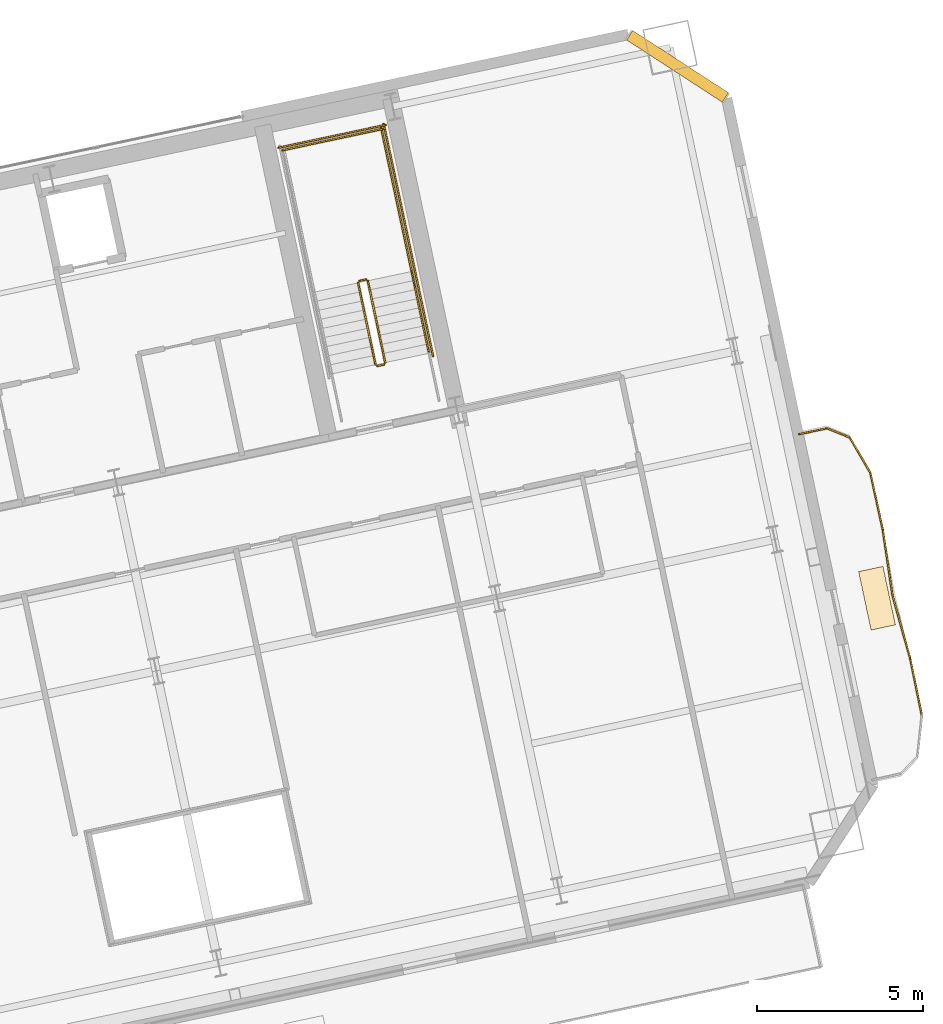
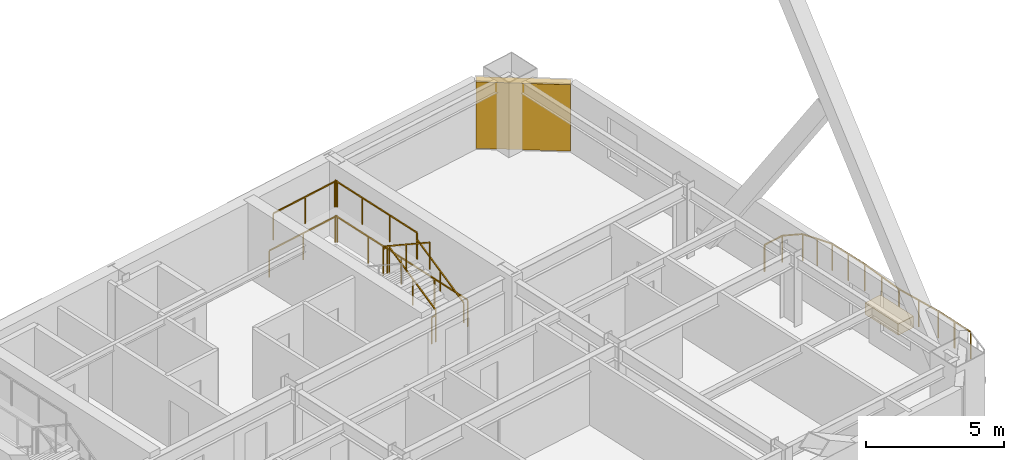
# One storey, part 22 of 22: 16 railings, 1 covering, 1 shading device.
"""IFC4 building model written with IfcOpenShell, lengths in metres."""

from ifc_helpers import new_model, si_unit, direction, frame, origin, origin_2d, place, context, subcontext, project, spatial, rectangle, extrude, material, layer, layer_set, type_object, element, save


model = new_model("IFC4")

# Units and contexts
model_context = context("Model", 3, precision=1e-05, world=origin(), true_north=direction((0.0, 1.0)))
body_context = subcontext(model_context, "Body", "Model", "MODEL_VIEW")
ifc_project = project(units=[si_unit("LENGTHUNIT", "METRE"), si_unit("AREAUNIT", "SQUARE_METRE"), si_unit("VOLUMEUNIT", "CUBIC_METRE"), si_unit("PLANEANGLEUNIT", "RADIAN"), si_unit("MASSUNIT", "GRAM", prefix="KILO")], contexts=[model_context])

# Site, building, storey
site_placement = place(None, origin())
site = spatial("IfcSite", under=ifc_project, at=site_placement, CompositionType="ELEMENT")
building_placement = place(site_placement, origin())
building = spatial("IfcBuilding", under=site, at=building_placement, Name="Haevon Station Towers", CompositionType="ELEMENT")
storey_placement = place(building_placement, frame((0.0, 0.0, 93.300048828125)))
storey = spatial("IfcBuildingStorey", under=building, at=storey_placement, Name="L24", CompositionType="ELEMENT", Elevation=93.300048828125)

# Railings
ifc_material_1 = material(Name="Steel S355", Category="steel")
railing_type_1 = type_object("IfcRailingType", Name="GRD-EXT1200", PredefinedType="GUARDRAIL", material=ifc_material_1)
railing_1_placement = place(storey_placement, frame((133.2978515625, 32.604736328125, 0.0)))
element("IfcRailing", 1, at=railing_1_placement, inside=storey, type_object=railing_type_1, Name="L24 Perimeter Guardrail 4", PredefinedType="GUARDRAIL", context=body_context, shape_type="SweptSolid", body=[
    extrude(rectangle(XDim=0.048095703125, YDim=0.048095703125, at=origin_2d()), frame((0.0, 0.0, 1.17578125), z_axis=(-0.201373345477, 0.979514561266, 0.0), x_axis=(-0.979514561266, -0.201373345477, 0.0)), (0.0, 0.0, 1.0), 1.74951171875),
    extrude(rectangle(XDim=0.0419921875, YDim=0.0419921875, at=origin_2d()), origin(), (0.0, 0.0, 1.0), 1.15185546875),
    extrude(rectangle(XDim=0.0419921875, YDim=0.0419921875, at=origin_2d()), frame((-0.17626953125, 0.85693359375, 0.0)), (0.0, 0.0, 1.0), 1.15185546875),
    extrude(rectangle(XDim=0.0419921875, YDim=0.0419921875, at=origin_2d()), frame((-0.352294921875, 1.713623046875, 0.0)), (0.0, 0.0, 1.0), 1.15185546875),
])
railing_2_placement = place(storey_placement, frame((132.945556640625, 34.318359375, 0.0)))
element("IfcRailing", 2, at=railing_2_placement, inside=storey, type_object=railing_type_1, Name="L24 Perimeter Guardrail 5", PredefinedType="GUARDRAIL", context=body_context, shape_type="SweptSolid", body=[
    extrude(rectangle(XDim=0.048095703125, YDim=0.048095703125, at=origin_2d()), frame((0.0, 0.0, 1.17578125), z_axis=(-0.268894073519, 0.963169755145, 0.0), x_axis=(-0.963169755145, -0.268894073519, 0.0)), (0.0, 0.0, 1.0), 1.993896484375),
    extrude(rectangle(XDim=0.0419921875, YDim=0.0419921875, at=origin_2d()), origin(), (0.0, 0.0, 1.0), 1.15185546875),
    extrude(rectangle(XDim=0.0419921875, YDim=0.0419921875, at=origin_2d()), frame((-0.26806640625, 0.960205078125, 0.0)), (0.0, 0.0, 1.0), 1.15185546875),
    extrude(rectangle(XDim=0.0419921875, YDim=0.0419921875, at=origin_2d()), frame((-0.5361328125, 1.92041015625, 0.0)), (0.0, 0.0, 1.0), 1.15185546875),
])
railing_3_placement = place(storey_placement, frame((132.409423828125, 36.23876953125, 0.0)))
element("IfcRailing", 3, at=railing_3_placement, inside=storey, type_object=railing_type_1, Name="L24 Perimeter Guardrail 6", PredefinedType="GUARDRAIL", context=body_context, shape_type="SweptSolid", body=[
    extrude(rectangle(XDim=0.048095703125, YDim=0.048095703125, at=origin_2d()), frame((0.0, 0.0, 1.17578125), z_axis=(-0.14608267793, 0.98927238474, 0.0), x_axis=(-0.98927238474, -0.14608267793, 0.0)), (0.0, 0.0, 1.0), 1.993896484375),
    extrude(rectangle(XDim=0.0419921875, YDim=0.0419921875, at=origin_2d()), origin(), (0.0, 0.0, 1.0), 1.15185546875),
    extrude(rectangle(XDim=0.0419921875, YDim=0.0419921875, at=origin_2d()), frame((-0.1455078125, 0.986328125, 0.0)), (0.0, 0.0, 1.0), 1.15185546875),
    extrude(rectangle(XDim=0.0419921875, YDim=0.0419921875, at=origin_2d()), frame((-0.291259765625, 1.972412109375, 0.0)), (0.0, 0.0, 1.0), 1.15185546875),
])
railing_4_placement = place(storey_placement, frame((132.1181640625, 38.211181640625, 0.0)))
element("IfcRailing", 4, at=railing_4_placement, inside=storey, type_object=railing_type_1, Name="L24 Perimeter Guardrail 7", PredefinedType="GUARDRAIL", context=body_context, shape_type="SweptSolid", body=[
    extrude(rectangle(XDim=0.048095703125, YDim=0.048095703125, at=origin_2d()), frame((0.0, 0.0, 1.17578125), z_axis=(-0.214491722327, 0.976725806485, 0.0), x_axis=(-0.976725806485, -0.214491722327, 0.0)), (0.0, 0.0, 1.0), 1.74951171875),
    extrude(rectangle(XDim=0.0419921875, YDim=0.0419921875, at=origin_2d()), origin(), (0.0, 0.0, 1.0), 1.15185546875),
    extrude(rectangle(XDim=0.0419921875, YDim=0.0419921875, at=origin_2d()), frame((-0.1875, 0.8544921875, 0.0)), (0.0, 0.0, 1.0), 1.15185546875),
    extrude(rectangle(XDim=0.0419921875, YDim=0.0419921875, at=origin_2d()), frame((-0.375244140625, 1.708740234375, 0.0)), (0.0, 0.0, 1.0), 1.15185546875),
])
railing_5_placement = place(storey_placement, frame((131.742919921875, 39.919921875, 0.0)))
element("IfcRailing", 5, at=railing_5_placement, inside=storey, type_object=railing_type_1, Name="L24 Perimeter Guardrail 8", PredefinedType="GUARDRAIL", context=body_context, shape_type="SweptSolid", body=[
    extrude(rectangle(XDim=0.048095703125, YDim=0.048095703125, at=origin_2d()), frame((0.0, 0.0, 1.17578125), z_axis=(-0.502872029842, 0.864360874637, 0.0), x_axis=(-0.864360874637, -0.502872029842, 0.0)), (0.0, 0.0, 1.0), 1.231201171875),
    extrude(rectangle(XDim=0.0419921875, YDim=0.0419921875, at=origin_2d()), origin(), (0.0, 0.0, 1.0), 1.15185546875),
    extrude(rectangle(XDim=0.0419921875, YDim=0.0419921875, at=origin_2d()), frame((-0.3095703125, 0.5322265625, 0.0)), (0.0, 0.0, 1.0), 1.15185546875),
    extrude(rectangle(XDim=0.0419921875, YDim=0.0419921875, at=origin_2d()), frame((-0.619140625, 1.064208984375, 0.0)), (0.0, 0.0, 1.0), 1.15185546875),
])
railing_6_placement = place(storey_placement, frame((131.123779296875, 40.984130859375, 0.0)))
element("IfcRailing", 6, at=railing_6_placement, inside=storey, type_object=railing_type_1, Name="L24 Perimeter Guardrail 9", PredefinedType="GUARDRAIL", context=body_context, shape_type="SweptSolid", body=[
    extrude(rectangle(XDim=0.048095703125, YDim=0.048095703125, at=origin_2d()), frame((0.0, 0.0, 1.17578125), z_axis=(-0.926466577122, 0.376377046956, 0.0), x_axis=(-0.376377046956, -0.926466577122, 0.0)), (0.0, 0.0, 1.0), 0.733642578125),
    extrude(rectangle(XDim=0.0419921875, YDim=0.0419921875, at=origin_2d()), origin(), (0.0, 0.0, 1.0), 1.15185546875),
    extrude(rectangle(XDim=0.0419921875, YDim=0.0419921875, at=origin_2d()), frame((-0.6796875, 0.276123046875, 0.0)), (0.0, 0.0, 1.0), 1.15185546875),
])
railing_7_placement = place(storey_placement, frame((130.444091796875, 41.26025390625, 0.0)))
element("IfcRailing", 7, at=railing_7_placement, inside=storey, type_object=railing_type_1, Name="L24 Perimeter Guardrail 10", PredefinedType="GUARDRAIL", context=body_context, shape_type="SweptSolid", body=[
    extrude(rectangle(XDim=0.048095703125, YDim=0.048095703125, at=origin_2d()), frame((0.0, 0.0, 1.17578125), z_axis=(-0.978588498747, -0.205826504901, 0.0), x_axis=(0.205826504901, -0.978588498747, 0.0)), (0.0, 0.0, 1.0), 0.869384765625),
    extrude(rectangle(XDim=0.0419921875, YDim=0.0419921875, at=origin_2d()), origin(), (0.0, 0.0, 1.0), 1.15185546875),
    extrude(rectangle(XDim=0.0419921875, YDim=0.0419921875, at=origin_2d()), frame((-0.850830078125, -0.178955078125, 0.0)), (0.0, 0.0, 1.0), 1.15185546875),
])
railing_type_2 = type_object("IfcRailingType", Name="GRD-STR1200", PredefinedType="GUARDRAIL", material=ifc_material_1)
railing_8_placement = place(storey_placement, frame((117.128662109375, 43.23974609375, 0.1650390625)))
element("IfcRailing", 8, at=railing_8_placement, inside=storey, type_object=railing_type_2, Name="L24 ST4 Stair Guard 1", PredefinedType="GUARDRAIL", context=body_context, shape_type="SweptSolid", body=[
    extrude(rectangle(XDim=0.048095703125, YDim=0.048095703125, at=origin_2d()), frame((0.0, 0.0, 1.17578125), z_axis=(-0.179128856099, 0.842723639875, 0.507670877349), x_axis=(-0.978147030254, -0.207914374695, 0.0)), (0.0, 0.0, 1.0), 2.9248046875),
    extrude(rectangle(XDim=0.0419921875, YDim=0.0419921875, at=origin_2d()), origin(), (0.0, 0.0, 1.0), 1.15185546875),
    extrude(rectangle(XDim=0.0419921875, YDim=0.0419921875, at=origin_2d()), frame((-0.261962890625, 1.232421875, 0.742431640625)), (0.0, 0.0, 1.0), 1.15185546875),
    extrude(rectangle(XDim=0.0419921875, YDim=0.0419921875, at=origin_2d()), frame((-0.52392578125, 2.46484375, 1.48486328125)), (0.0, 0.0, 1.0), 1.15185546875),
])
railing_9_placement = place(storey_placement, frame((116.54541015625, 45.7431640625, 1.64990234375)))
element("IfcRailing", 9, at=railing_9_placement, inside=storey, type_object=railing_type_2, Name="L24 ST4 Stair Guard 2", PredefinedType="GUARDRAIL", context=body_context, shape_type="SweptSolid", body=[
    extrude(rectangle(XDim=0.048095703125, YDim=0.048095703125, at=origin_2d()), frame((0.0, 0.0, 1.17578125), z_axis=(-0.97826412705, -0.207362720198, 0.0), x_axis=(0.207362720198, -0.97826412705, 0.0)), (0.0, 0.0, 1.0), 0.2001953125),
    extrude(rectangle(XDim=0.0419921875, YDim=0.0419921875, at=origin_2d()), origin(), (0.0, 0.0, 1.0), 1.15185546875),
    extrude(rectangle(XDim=0.0419921875, YDim=0.0419921875, at=origin_2d()), frame((-0.19580078125, -0.04150390625, 0.0)), (0.0, 0.0, 1.0), 1.15185546875),
])
railing_10_placement = place(storey_placement, frame((117.925048828125, 45.9853515625, 1.64990234375)))
element("IfcRailing", 10, at=railing_10_placement, inside=storey, type_object=railing_type_2, Name="L24 ST4 Stair Guard 3", PredefinedType="GUARDRAIL", context=body_context, shape_type="SweptSolid", body=[
    extrude(rectangle(XDim=0.048095703125, YDim=0.048095703125, at=origin_2d()), frame((0.0, 0.0, 1.17578125), z_axis=(-0.207876551949, 0.978155069071, 0.0), x_axis=(-0.978155069071, -0.207876551949, 0.0)), (0.0, 0.0, 1.0), 4.429931640625),
    extrude(rectangle(XDim=0.0419921875, YDim=0.0419921875, at=origin_2d()), origin(), (0.0, 0.0, 1.0), 1.15185546875),
    extrude(rectangle(XDim=0.0419921875, YDim=0.0419921875, at=origin_2d()), frame((-0.306884765625, 1.4443359375, 0.0)), (0.0, 0.0, 1.0), 1.15185546875),
    extrude(rectangle(XDim=0.0419921875, YDim=0.0419921875, at=origin_2d()), frame((-0.614013671875, 2.888916015625, 0.0)), (0.0, 0.0, 1.0), 1.15185546875),
    extrude(rectangle(XDim=0.0419921875, YDim=0.0419921875, at=origin_2d()), frame((-0.9208984375, 4.333251953125, 0.0)), (0.0, 0.0, 1.0), 1.15185546875),
])
railing_11_placement = place(storey_placement, frame((117.0634765625, 50.280029296875, 1.64990234375)))
element("IfcRailing", 11, at=railing_11_placement, inside=storey, type_object=railing_type_2, Name="L24 ST4 Stair Guard 5", PredefinedType="GUARDRAIL", context=body_context, shape_type="SweptSolid", body=[
    extrude(rectangle(XDim=0.048095703125, YDim=0.048095703125, at=origin_2d()), frame((0.0, 0.0, 1.17578125), z_axis=(-0.978146839882, -0.207915270313, 0.0), x_axis=(0.207915270313, -0.978146839882, 0.0)), (0.0, 0.0, 1.0), 3.099853515625),
    extrude(rectangle(XDim=0.0419921875, YDim=0.0419921875, at=origin_2d()), origin(), (0.0, 0.0, 1.0), 1.15185546875),
    extrude(rectangle(XDim=0.0419921875, YDim=0.0419921875, at=origin_2d()), frame((-1.51611328125, -0.322265625, 0.0)), (0.0, 0.0, 1.0), 1.15185546875),
    extrude(rectangle(XDim=0.0419921875, YDim=0.0419921875, at=origin_2d()), frame((-3.0322265625, -0.64453125, 0.0)), (0.0, 0.0, 1.0), 1.15185546875),
])
railing_12_placement = place(storey_placement, frame((116.311279296875, 45.642333984375, 1.81494140625)))
element("IfcRailing", 12, at=railing_12_placement, inside=storey, type_object=railing_type_2, Name="L24 ST4 Stair Guard 6", PredefinedType="GUARDRAIL", context=body_context, shape_type="SweptSolid", body=[
    extrude(rectangle(XDim=0.048095703125, YDim=0.048095703125, at=origin_2d()), frame((0.0, 0.0, 1.17578125), z_axis=(0.179108667068, -0.842712120868, 0.50769712105), x_axis=(0.978151217824, 0.207894673017, 0.0)), (0.0, 0.0, 1.0), 2.92529296875),
    extrude(rectangle(XDim=0.0419921875, YDim=0.0419921875, at=origin_2d()), origin(), (0.0, 0.0, 1.0), 1.15185546875),
    extrude(rectangle(XDim=0.0419921875, YDim=0.0419921875, at=origin_2d()), frame((0.261962890625, -1.232421875, 0.74267578125)), (0.0, 0.0, 1.0), 1.15185546875),
    extrude(rectangle(XDim=0.0419921875, YDim=0.0419921875, at=origin_2d()), frame((0.52392578125, -2.465087890625, 1.485107421875)), (0.0, 0.0, 1.0), 1.15185546875),
])
railing_13_placement = place(storey_placement, frame((117.090087890625, 43.180419921875, 0.0)))
element("IfcRailing", 13, at=railing_13_placement, inside=storey, type_object=railing_type_2, Name="L24 ST4 Stair Guard 7", PredefinedType="GUARDRAIL", context=body_context, shape_type="SweptSolid", body=[
    extrude(rectangle(XDim=0.048095703125, YDim=0.048095703125, at=origin_2d()), frame((0.0, 0.0, 1.17578125), z_axis=(-0.978211583308, -0.207610448392, 0.0), x_axis=(0.207610448392, -0.978211583308, 0.0)), (0.0, 0.0, 1.0), 0.199951171875),
    extrude(rectangle(XDim=0.0419921875, YDim=0.0419921875, at=origin_2d()), origin(), (0.0, 0.0, 1.0), 1.15185546875),
    extrude(rectangle(XDim=0.0419921875, YDim=0.0419921875, at=origin_2d()), frame((-0.195556640625, -0.04150390625, 0.0)), (0.0, 0.0, 1.0), 1.15185546875),
])
railing_14_placement = place(storey_placement, frame((118.567626953125, 43.443359375, 0.0)))
element("IfcRailing", 14, at=railing_14_placement, inside=storey, type_object=railing_type_2, Name="L24 ST4 Stair Guard 10", PredefinedType="GUARDRAIL", context=body_context, shape_type="SweptSolid", body=[
    extrude(rectangle(XDim=0.048095703125, YDim=0.048095703125, at=origin_2d()), frame((0.0, 0.0, 1.17578125), z_axis=(-0.207908168386, 0.978148349443, 0.0), x_axis=(-0.978148349443, -0.207908168386, 0.0)), (0.0, 0.0, 1.0), 7.150146484375),
    extrude(rectangle(XDim=0.0419921875, YDim=0.0419921875, at=origin_2d()), origin(), (0.0, 0.0, 1.0), 1.15185546875),
    extrude(rectangle(XDim=0.0419921875, YDim=0.0419921875, at=origin_2d()), frame((-0.37158203125, 1.74853515625, 0.0)), (0.0, 0.0, 1.0), 1.15185546875),
    extrude(rectangle(XDim=0.0419921875, YDim=0.0419921875, at=origin_2d()), frame((-0.7431640625, 3.4970703125, 0.0)), (0.0, 0.0, 1.0), 1.15185546875),
    extrude(rectangle(XDim=0.0419921875, YDim=0.0419921875, at=origin_2d()), frame((-1.114990234375, 5.245361328125, 0.0)), (0.0, 0.0, 1.0), 1.15185546875),
    extrude(rectangle(XDim=0.0419921875, YDim=0.0419921875, at=origin_2d()), frame((-1.486572265625, 6.993896484375, 0.0)), (0.0, 0.0, 1.0), 1.15185546875),
])
railing_15_placement = place(storey_placement, frame((117.140380859375, 50.398681640625, 0.0)))
element("IfcRailing", 15, at=railing_15_placement, inside=storey, type_object=railing_type_2, Name="L24 ST4 Stair Guard 12", PredefinedType="GUARDRAIL", context=body_context, shape_type="SweptSolid", body=[
    extrude(rectangle(XDim=0.048095703125, YDim=0.048095703125, at=origin_2d()), frame((0.0, 0.0, 1.17578125), z_axis=(-0.978135717418, -0.207967589567, 0.0), x_axis=(0.207967589567, -0.978135717418, 0.0)), (0.0, 0.0, 1.0), 3.300048828125),
    extrude(rectangle(XDim=0.0419921875, YDim=0.0419921875, at=origin_2d()), origin(), (0.0, 0.0, 1.0), 1.15185546875),
    extrude(rectangle(XDim=0.0419921875, YDim=0.0419921875, at=origin_2d()), frame((-1.61376953125, -0.34326171875, 0.0)), (0.0, 0.0, 1.0), 1.15185546875),
    extrude(rectangle(XDim=0.0419921875, YDim=0.0419921875, at=origin_2d()), frame((-3.227783203125, -0.686279296875, 0.0)), (0.0, 0.0, 1.0), 1.15185546875),
])
railing_type_3 = type_object("IfcRailingType", Name="HND-STR900", PredefinedType="HANDRAIL", material=ifc_material_1)
railing_16_placement = place(storey_placement, frame((118.448974609375, 43.5205078125, 0.1650390625)))
element("IfcRailing", 16, at=railing_16_placement, inside=storey, type_object=railing_type_3, Name="L24 ST4 Stair Handrail 1", PredefinedType="HANDRAIL", context=body_context, shape_type="SweptSolid", body=[
    extrude(rectangle(XDim=0.048095703125, YDim=0.048095703125, at=origin_2d()), frame((0.0, 0.0, 0.8759765625), z_axis=(-0.179128856099, 0.842723639875, 0.507670877349), x_axis=(-0.978147030254, -0.207914374695, 0.0)), (0.0, 0.0, 1.0), 2.9248046875),
    extrude(rectangle(XDim=0.0419921875, YDim=0.0419921875, at=origin_2d()), origin(), (0.0, 0.0, 1.0), 0.851806640625),
    extrude(rectangle(XDim=0.0419921875, YDim=0.0419921875, at=origin_2d()), frame((-0.261962890625, 1.232421875, 0.742431640625)), (0.0, 0.0, 1.0), 0.851806640625),
    extrude(rectangle(XDim=0.0419921875, YDim=0.0419921875, at=origin_2d()), frame((-0.52392578125, 2.46484375, 1.48486328125)), (0.0, 0.0, 1.0), 0.851806640625),
])

# Covering
ifc_material_2 = material(Name="Architectural planter GRC", Category="concrete")
ifc_layer_1 = layer(ifc_material_2, 0.550048828125)
ifc_layer_set_1 = layer_set([ifc_layer_1], Name="Architectural planter GRC")
covering_type = type_object("IfcCoveringType", Name="PLN-GRC550", PredefinedType="MOLDING", material=ifc_layer_set_1)
covering_placement = place(storey_placement, frame((131.9462890625, 36.140380859375, 0.0), z_axis=(0.0, 0.0, 1.0), x_axis=(0.978147600734, 0.207911690818, 0.0)))
element("IfcCovering", 17, at=covering_placement, inside=storey, type_object=covering_type, Name="Tower 2 L24 Scalloped Balcony PLANTER", PredefinedType="MOLDING", context=body_context, shape_type="SweptSolid", body=[
    extrude(rectangle(XDim=0.75, YDim=1.800048828125, at=origin_2d()), origin(), (0.0, 0.0, 1.0), 0.5),
])

# Shading device
ifc_material_3 = material(Name="Anodised aluminium 6063-T6", Category="aluminium")
ifc_layer_2 = layer(ifc_material_3, 0.139892578125)
ifc_layer_set_2 = layer_set([ifc_layer_2], Name="Anodised aluminium 6063-T6")
shading_device_type = type_object("IfcShadingDeviceType", Name="SHD-WIND-BAFFLE", PredefinedType="SHUTTER", material=ifc_layer_set_2)
shading_device_placement = place(storey_placement, frame((125.935302734375, 52.165771484375, 0.0498046875), z_axis=(0.0, 0.0, 1.0), x_axis=(0.838670519647, -0.544639109388, 0.0)))
element("IfcShadingDevice", 18, at=shading_device_placement, inside=storey, type_object=shading_device_type, Name="Tower 2 L24 Wind-Corner Aerofoil Baffle NEC", PredefinedType="SHUTTER", context=body_context, shape_type="SweptSolid", body=[
    extrude(rectangle(XDim=3.435546875, YDim=0.340087890625, at=origin_2d()), origin(), (0.0, 0.0, 1.0), 2.929931640625),
])

save(model, "model.ifc")
